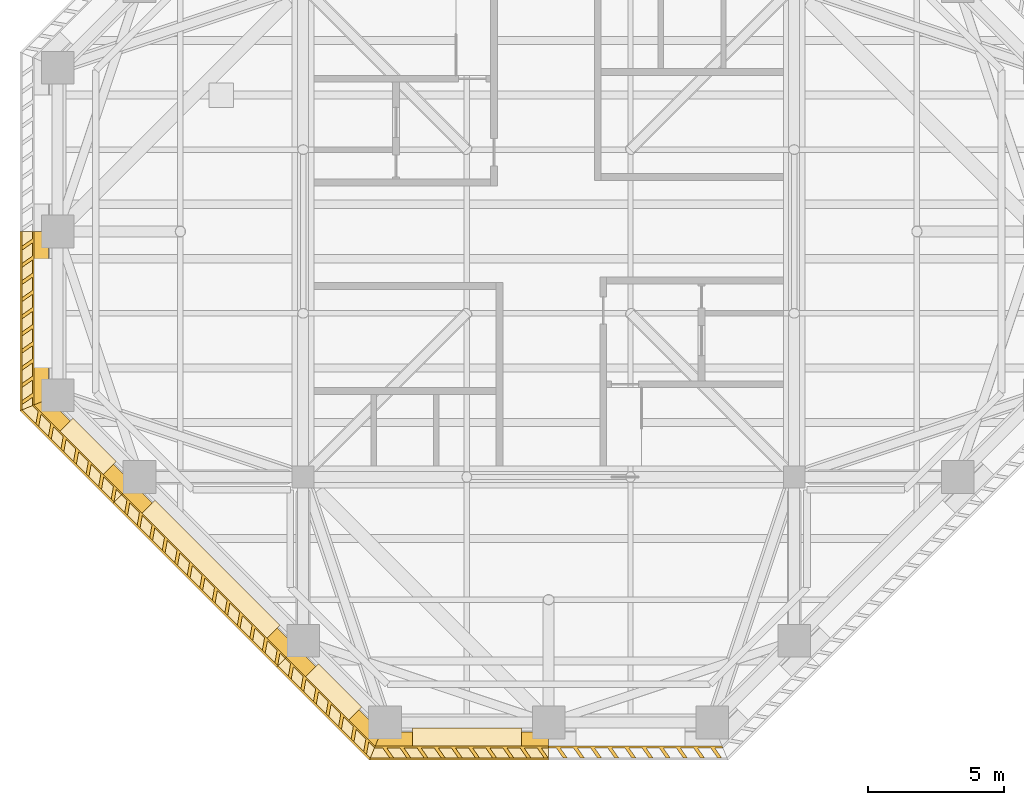
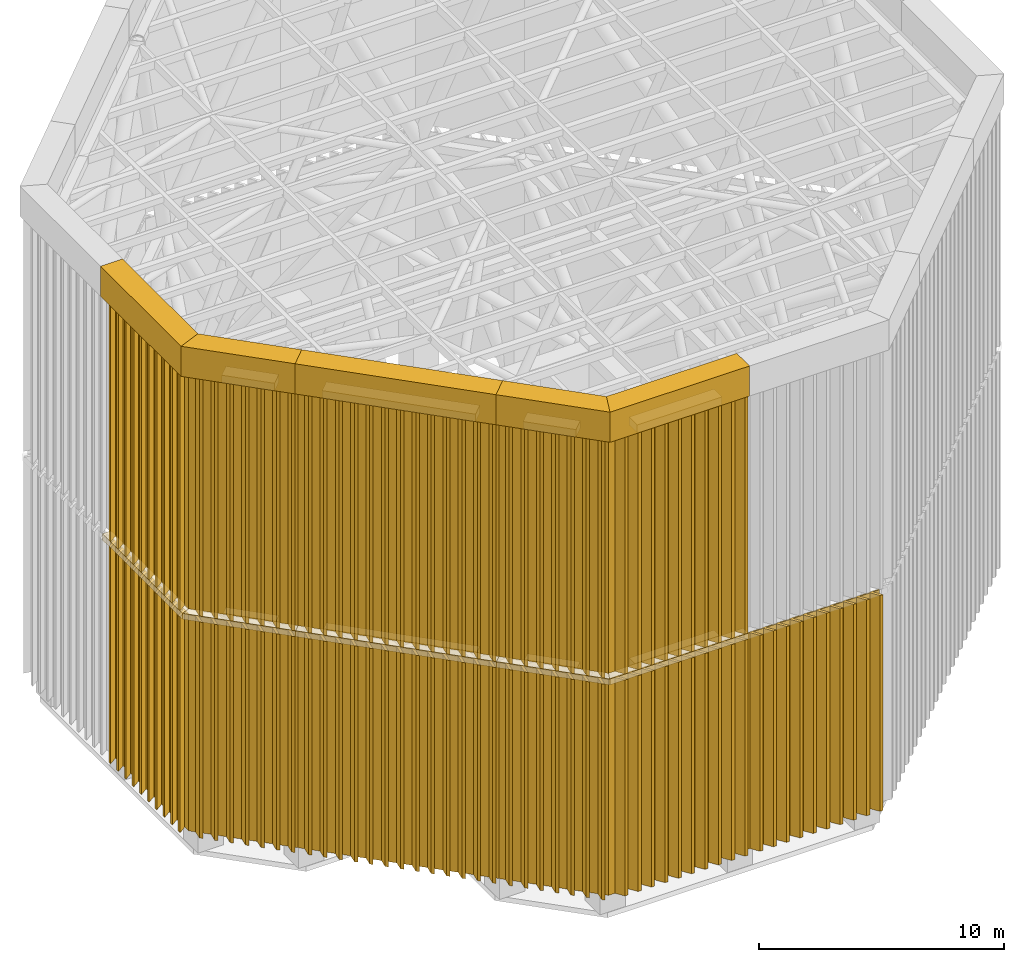
# One storey, part 5 of 8: 29 coverings.
"""IFC4 building model written with IfcOpenShell, lengths in metres."""

from ifc_helpers import new_model, si_unit, direction, frame, origin, place, context, subcontext, project, spatial, polyline, outline, extrude, material, layer, layer_set, constituent, constituent_set, type_object, element, save


model = new_model("IFC4")

# Units and contexts
model_context = context("Model", 3, precision=1e-05, world=origin(), true_north=direction((0.0, 1.0)))
body_context = subcontext(model_context, "Body", "Model", "MODEL_VIEW")
ifc_project = project(units=[si_unit("LENGTHUNIT", "METRE"), si_unit("AREAUNIT", "SQUARE_METRE"), si_unit("VOLUMEUNIT", "CUBIC_METRE"), si_unit("PLANEANGLEUNIT", "RADIAN"), si_unit("MASSUNIT", "GRAM", prefix="KILO")], contexts=[model_context])

# Site, building, storey
site_placement = place(None, origin())
site = spatial("IfcSite", under=ifc_project, at=site_placement, CompositionType="ELEMENT")
building_placement = place(site_placement, origin())
building = spatial("IfcBuilding", under=site, at=building_placement, Name="Torre Cruceta", CompositionType="ELEMENT")
storey_placement = place(building_placement, frame((0.0, 0.0, 293.300048828125)))
storey = spatial("IfcBuildingStorey", under=building, at=storey_placement, Name="RF", CompositionType="ELEMENT", Elevation=293.300048828125)

# Coverings
ifc_material_1 = material(Name="Glass-fibre reinforced concrete", Category="concrete")
ifc_constituent_1 = constituent(ifc_material_1, Name="Panel")
ifc_material_2 = material(Name="Steel S275", Category="steel")
ifc_constituent_2 = constituent(ifc_material_2, Name="Subframe")
ifc_material_3 = material(Name="Hot-dip galvanising", Category="zinc")
ifc_constituent_3 = constituent(ifc_material_3, Name="Subframe coating")
ifc_constituent_set_1 = constituent_set(constituents=[ifc_constituent_1, ifc_constituent_2, ifc_constituent_3], Name="GFRC panel on a galvanised steel subframe")
covering_type_1 = type_object("IfcCoveringType", Name="CROWN CAP FASCIA GFRC 1500", PredefinedType="CLADDING", material=ifc_constituent_set_1)
covering_1_placement = place(storey_placement, frame((0.0, 0.0, 24.0)))
element("IfcCovering", 1, at=covering_1_placement, inside=storey, type_object=covering_type_1, Name="Crown cap fascia FC1 01", PredefinedType="CLADDING", context=body_context, shape_type="SweptSolid", body=[
    extrude(outline(polyline([(-19.3798828125, -6.571533203125), (-15.975830078125, -9.975830078125), (-15.240478515625, -9.240478515625), (-18.340087890625, -6.140869140625), (-19.3798828125, -6.571533203125)])), origin(), (0.0, 0.0, 1.0), 1.5),
])
covering_2_placement = place(storey_placement, frame((0.0, 0.0, 24.0)))
element("IfcCovering", 2, at=covering_2_placement, inside=storey, type_object=covering_type_1, Name="Crown cap fascia FC1 02", PredefinedType="CLADDING", context=body_context, shape_type="SweptSolid", body=[
    extrude(outline(polyline([(-15.975830078125, -9.975830078125), (-9.975830078125, -15.975830078125), (-9.240478515625, -15.240478515625), (-15.240478515625, -9.240478515625), (-15.975830078125, -9.975830078125)])), origin(), (0.0, 0.0, 1.0), 1.5),
])
covering_3_placement = place(storey_placement, frame((0.0, 0.0, 24.0)))
element("IfcCovering", 3, at=covering_3_placement, inside=storey, type_object=covering_type_1, Name="Crown cap fascia FC1 03", PredefinedType="CLADDING", context=body_context, shape_type="SweptSolid", body=[
    extrude(outline(polyline([(-9.975830078125, -15.975830078125), (-6.571533203125, -19.3798828125), (-6.140869140625, -18.340087890625), (-9.240478515625, -15.240478515625), (-9.975830078125, -15.975830078125)])), origin(), (0.0, 0.0, 1.0), 1.5),
])
covering_4_placement = place(storey_placement, frame((0.0, 0.0, 24.0)))
element("IfcCovering", 4, at=covering_4_placement, inside=storey, type_object=covering_type_1, Name="Crown cap fascia FC1 04", PredefinedType="CLADDING", context=body_context, shape_type="SweptSolid", body=[
    extrude(outline(polyline([(-6.571533203125, -19.3798828125), (0.0, -19.3798828125), (0.0, -18.340087890625), (-6.140869140625, -18.340087890625), (-6.571533203125, -19.3798828125)])), origin(), (0.0, 0.0, 1.0), 1.5),
])
covering_5_placement = place(storey_placement, frame((0.0, 0.0, 24.0)))
element("IfcCovering", 5, at=covering_5_placement, inside=storey, type_object=covering_type_1, Name="Crown cap fascia FC1 20", PredefinedType="CLADDING", context=body_context, shape_type="SweptSolid", body=[
    extrude(outline(polyline([(-19.3798828125, 0.0), (-19.3798828125, -6.571533203125), (-18.340087890625, -6.140869140625), (-18.340087890625, 0.0), (-19.3798828125, 0.0)])), origin(), (0.0, 0.0, 1.0), 1.5),
])
ifc_material_4 = material(Name="Glass-fibre reinforced concrete", Category="concrete")
ifc_constituent_4 = constituent(ifc_material_4, Name="Panel")
ifc_material_5 = material(Name="Steel S275", Category="steel")
ifc_constituent_5 = constituent(ifc_material_5, Name="Subframe")
ifc_material_6 = material(Name="Hot-dip galvanising", Category="zinc")
ifc_constituent_6 = constituent(ifc_material_6, Name="Subframe coating")
ifc_constituent_set_2 = constituent_set(constituents=[ifc_constituent_4, ifc_constituent_5, ifc_constituent_6], Name="GFRC panel on a galvanised steel subframe")
covering_type_2 = type_object("IfcCoveringType", Name="CROWN SCREEN JOINT BAND GFRC 300", PredefinedType="CLADDING", material=ifc_constituent_set_2)
covering_6_placement = place(storey_placement, frame((0.0, 0.0, 11.849853515625)))
element("IfcCovering", 6, at=covering_6_placement, inside=storey, type_object=covering_type_2, Name="Crown screen joint band SJ1 01", PredefinedType="CLADDING", context=body_context, shape_type="SweptSolid", body=[
    extrude(outline(polyline([(-19.298583984375, -6.537841796875), (-15.918212890625, -9.918212890625), (-15.615234375, -9.615234375), (-18.8701171875, -6.3603515625), (-19.298583984375, -6.537841796875)])), origin(), (0.0, 0.0, 1.0), 0.300048828125),
])
covering_7_placement = place(storey_placement, frame((0.0, 0.0, 11.849853515625)))
element("IfcCovering", 7, at=covering_7_placement, inside=storey, type_object=covering_type_2, Name="Crown screen joint band SJ1 02", PredefinedType="CLADDING", context=body_context, shape_type="SweptSolid", body=[
    extrude(outline(polyline([(-15.918212890625, -9.918212890625), (-9.918212890625, -15.918212890625), (-9.615234375, -15.615234375), (-15.615234375, -9.615234375), (-15.918212890625, -9.918212890625)])), origin(), (0.0, 0.0, 1.0), 0.300048828125),
])
covering_8_placement = place(storey_placement, frame((0.0, 0.0, 11.849853515625)))
element("IfcCovering", 8, at=covering_8_placement, inside=storey, type_object=covering_type_2, Name="Crown screen joint band SJ1 03", PredefinedType="CLADDING", context=body_context, shape_type="SweptSolid", body=[
    extrude(outline(polyline([(-9.918212890625, -15.918212890625), (-6.537841796875, -19.298583984375), (-6.3603515625, -18.8701171875), (-9.615234375, -15.615234375), (-9.918212890625, -15.918212890625)])), origin(), (0.0, 0.0, 1.0), 0.300048828125),
])
covering_9_placement = place(storey_placement, frame((0.0, 0.0, 11.849853515625)))
element("IfcCovering", 9, at=covering_9_placement, inside=storey, type_object=covering_type_2, Name="Crown screen joint band SJ1 04", PredefinedType="CLADDING", context=body_context, shape_type="SweptSolid", body=[
    extrude(outline(polyline([(-6.537841796875, -19.298583984375), (0.0, -19.298583984375), (0.0, -18.8701171875), (-6.3603515625, -18.8701171875), (-6.537841796875, -19.298583984375)])), origin(), (0.0, 0.0, 1.0), 0.300048828125),
])
covering_10_placement = place(storey_placement, frame((0.0, 0.0, 11.849853515625)))
element("IfcCovering", 10, at=covering_10_placement, inside=storey, type_object=covering_type_2, Name="Crown screen joint band SJ1 20", PredefinedType="CLADDING", context=body_context, shape_type="SweptSolid", body=[
    extrude(outline(polyline([(-19.298583984375, 0.0), (-19.298583984375, -6.537841796875), (-18.8701171875, -6.3603515625), (-18.8701171875, 0.0), (-19.298583984375, 0.0)])), origin(), (0.0, 0.0, 1.0), 0.300048828125),
])
ifc_material_7 = material(Name="Glass-fibre reinforced concrete", Category="concrete")
ifc_constituent_7 = constituent(ifc_material_7, Name="Panel")
ifc_material_8 = material(Name="Steel S275", Category="steel")
ifc_constituent_8 = constituent(ifc_material_8, Name="Subframe")
ifc_material_9 = material(Name="Hot-dip galvanising", Category="zinc")
ifc_constituent_9 = constituent(ifc_material_9, Name="Subframe coating")
ifc_constituent_set_3 = constituent_set(constituents=[ifc_constituent_7, ifc_constituent_8, ifc_constituent_9], Name="GFRC panel on a galvanised steel subframe")
covering_type_3 = type_object("IfcCoveringType", Name="CROWN SCREEN PANEL GFRC FINS 450 TIER 1", PredefinedType="CLADDING", material=ifc_constituent_set_3)
covering_11_placement = place(storey_placement, frame((0.0, 0.0, 1.099853515625)))
element("IfcCovering", 11, at=covering_11_placement, inside=storey, type_object=covering_type_3, Name="Crown screen panel SC1 01", PredefinedType="CLADDING", context=body_context, shape_type="SweptSolid", body=[
    extrude(outline(polyline([(-15.931396484375, -9.905029296875), (-15.852783203125, -9.46240234375), (-15.65771484375, -9.65771484375), (-15.615234375, -9.615234375), (-18.8701171875, -6.3603515625), (-18.929931640625, -6.38525390625), (-18.71630859375, -6.59912109375), (-18.794921875, -7.04150390625), (-18.69140625, -7.145263671875), (-18.61279296875, -6.70263671875), (-18.25634765625, -7.05908203125), (-18.3349609375, -7.501708984375), (-18.231201171875, -7.605224609375), (-18.152587890625, -7.16259765625), (-17.79638671875, -7.518798828125), (-17.875, -7.961669921875), (-17.771240234375, -8.065185546875), (-17.692626953125, -7.62255859375), (-17.336181640625, -7.97900390625), (-17.4150390625, -8.421630859375), (-17.311279296875, -8.525146484375), (-17.232666015625, -8.08251953125), (-16.876220703125, -8.43896484375), (-16.955078125, -8.881591796875), (-16.851318359375, -8.985107421875), (-16.772705078125, -8.54248046875), (-16.41650390625, -8.898681640625), (-16.4951171875, -9.341552734375), (-16.391357421875, -9.445068359375), (-16.312744140625, -9.00244140625), (-15.956298828125, -9.35888671875), (-16.034912109375, -9.801513671875), (-15.931396484375, -9.905029296875)])), origin(), (0.0, 0.0, 1.0), 10.75),
])
covering_12_placement = place(storey_placement, frame((0.0, 0.0, 1.099853515625)))
element("IfcCovering", 12, at=covering_12_placement, inside=storey, type_object=covering_type_3, Name="Crown screen panel SC1 02", PredefinedType="CLADDING", context=body_context, shape_type="SweptSolid", body=[
    extrude(outline(polyline([(-12.68408203125, -13.152587890625), (-12.605224609375, -12.7099609375), (-12.250244140625, -13.065185546875), (-12.328857421875, -13.5078125), (-12.22509765625, -13.611328125), (-12.146484375, -13.168701171875), (-11.79150390625, -13.523681640625), (-11.8701171875, -13.966552734375), (-11.7666015625, -14.070068359375), (-11.687744140625, -13.62744140625), (-11.332763671875, -13.982666015625), (-11.411376953125, -14.42529296875), (-11.3076171875, -14.52880859375), (-11.22900390625, -14.086181640625), (-10.873779296875, -14.44140625), (-10.952392578125, -14.884033203125), (-10.848876953125, -14.987548828125), (-10.770263671875, -14.544921875), (-10.4150390625, -14.900146484375), (-10.493896484375, -15.3427734375), (-10.39013671875, -15.4462890625), (-10.3115234375, -15.003662109375), (-9.956298828125, -15.35888671875), (-10.034912109375, -15.801513671875), (-9.931396484375, -15.905029296875), (-9.852783203125, -15.46240234375), (-9.65771484375, -15.65771484375), (-9.615234375, -15.615234375), (-15.615234375, -9.615234375), (-15.65771484375, -9.65771484375), (-15.46142578125, -9.853759765625), (-15.5400390625, -10.29638671875), (-15.4365234375, -10.400146484375), (-15.35791015625, -9.95751953125), (-15.002685546875, -10.3125), (-15.081298828125, -10.755126953125), (-14.977783203125, -10.85888671875), (-14.899169921875, -10.416015625), (-14.5439453125, -10.771240234375), (-14.62255859375, -11.214111328125), (-14.51904296875, -11.317626953125), (-14.440185546875, -10.875), (-14.085205078125, -11.22998046875), (-14.163818359375, -11.672607421875), (-14.060302734375, -11.7763671875), (-13.981689453125, -11.33349609375), (-13.62646484375, -11.688720703125), (-13.705078125, -12.131591796875), (-13.6015625, -12.235107421875), (-13.522705078125, -11.79248046875), (-13.167724609375, -12.147705078125), (-13.246337890625, -12.590087890625), (-13.142578125, -12.69384765625), (-13.064208984375, -12.251220703125), (-12.708984375, -12.606201171875), (-12.78759765625, -13.049072265625), (-12.68408203125, -13.152587890625)])), origin(), (0.0, 0.0, 1.0), 10.75),
])
covering_13_placement = place(storey_placement, frame((0.0, 0.0, 1.099853515625)))
element("IfcCovering", 13, at=covering_13_placement, inside=storey, type_object=covering_type_3, Name="Crown screen panel SC1 03", PredefinedType="CLADDING", context=body_context, shape_type="SweptSolid", body=[
    extrude(outline(polyline([(-6.676513671875, -19.159912109375), (-6.597900390625, -18.71728515625), (-6.38525390625, -18.929931640625), (-6.3603515625, -18.8701171875), (-9.615234375, -15.615234375), (-9.65771484375, -15.65771484375), (-9.46142578125, -15.853759765625), (-9.5400390625, -16.29638671875), (-9.4365234375, -16.400146484375), (-9.35791015625, -15.95751953125), (-9.00146484375, -16.313720703125), (-9.080078125, -16.75634765625), (-8.9765625, -16.860107421875), (-8.89794921875, -16.41748046875), (-8.54150390625, -16.773681640625), (-8.6201171875, -17.21630859375), (-8.5166015625, -17.320068359375), (-8.43798828125, -16.877197265625), (-8.08154296875, -17.233642578125), (-8.16015625, -17.676513671875), (-8.056396484375, -17.780029296875), (-7.977783203125, -17.33740234375), (-7.62158203125, -17.693603515625), (-7.7001953125, -18.136474609375), (-7.5966796875, -18.239990234375), (-7.517822265625, -17.79736328125), (-7.16162109375, -18.15380859375), (-7.240234375, -18.59619140625), (-7.13671875, -18.699951171875), (-7.05810546875, -18.25732421875), (-6.70166015625, -18.613525390625), (-6.7802734375, -19.056396484375), (-6.676513671875, -19.159912109375)])), origin(), (0.0, 0.0, 1.0), 10.75),
])
covering_14_placement = place(storey_placement, frame((0.0, 0.0, 1.099853515625)))
element("IfcCovering", 14, at=covering_14_placement, inside=storey, type_object=covering_type_3, Name="Crown screen panel SC1 04", PredefinedType="CLADDING", context=body_context, shape_type="SweptSolid", body=[
    extrude(outline(polyline([(-5.678955078125, -19.298583984375), (-5.936279296875, -18.929931640625), (-5.4541015625, -18.929931640625), (-5.196533203125, -19.298583984375), (-5.050048828125, -19.298583984375), (-5.3076171875, -18.929931640625), (-4.8251953125, -18.929931640625), (-4.567626953125, -19.298583984375), (-4.421142578125, -19.298583984375), (-4.6787109375, -18.929931640625), (-4.196044921875, -18.929931640625), (-3.938720703125, -19.298583984375), (-3.792236328125, -19.298583984375), (-4.049560546875, -18.929931640625), (-3.567138671875, -18.929931640625), (-3.309814453125, -19.298583984375), (-3.163330078125, -19.298583984375), (-3.420654296875, -18.929931640625), (-2.938232421875, -18.929931640625), (-2.680908203125, -19.298583984375), (-2.534423828125, -19.298583984375), (-2.791748046875, -18.929931640625), (-2.309326171875, -18.929931640625), (-2.052001953125, -19.298583984375), (-1.905517578125, -19.298583984375), (-2.162841796875, -18.929931640625), (-1.680419921875, -18.929931640625), (-1.423095703125, -19.298583984375), (-1.276611328125, -19.298583984375), (-1.533935546875, -18.929931640625), (-1.051513671875, -18.929931640625), (-0.794189453125, -19.298583984375), (-0.647705078125, -19.298583984375), (-0.905029296875, -18.929931640625), (-0.422607421875, -18.929931640625), (-0.1650390625, -19.298583984375), (-0.0185546875, -19.298583984375), (-0.276123046875, -18.929931640625), (0.0, -18.929931640625), (0.0, -18.8701171875), (-6.3603515625, -18.8701171875), (-6.38525390625, -18.929931640625), (-6.0830078125, -18.929931640625), (-5.825439453125, -19.298583984375), (-5.678955078125, -19.298583984375)])), origin(), (0.0, 0.0, 1.0), 10.75),
])
covering_15_placement = place(storey_placement, frame((0.0, 0.0, 1.099853515625)))
element("IfcCovering", 15, at=covering_15_placement, inside=storey, type_object=covering_type_3, Name="Crown screen panel SC1 05", PredefinedType="CLADDING", context=body_context, shape_type="SweptSolid", body=[
    extrude(outline(polyline([(0.681396484375, -19.298583984375), (0.423828125, -18.929931640625), (0.906494140625, -18.929931640625), (1.163818359375, -19.298583984375), (1.310302734375, -19.298583984375), (1.052978515625, -18.929931640625), (1.535400390625, -18.929931640625), (1.792724609375, -19.298583984375), (1.939208984375, -19.298583984375), (1.681884765625, -18.929931640625), (2.164306640625, -18.929931640625), (2.421630859375, -19.298583984375), (2.568115234375, -19.298583984375), (2.310791015625, -18.929931640625), (2.793212890625, -18.929931640625), (3.050537109375, -19.298583984375), (3.197021484375, -19.298583984375), (2.939697265625, -18.929931640625), (3.422119140625, -18.929931640625), (3.679443359375, -19.298583984375), (3.825927734375, -19.298583984375), (3.568603515625, -18.929931640625), (4.051025390625, -18.929931640625), (4.308349609375, -19.298583984375), (4.454833984375, -19.298583984375), (4.197509765625, -18.929931640625), (4.679931640625, -18.929931640625), (4.9375, -19.298583984375), (5.083984375, -19.298583984375), (4.826416015625, -18.929931640625), (5.308837890625, -18.929931640625), (5.56640625, -19.298583984375), (5.712890625, -19.298583984375), (5.455322265625, -18.929931640625), (5.937744140625, -18.929931640625), (6.1953125, -19.298583984375), (6.341796875, -19.298583984375), (6.084228515625, -18.929931640625), (6.38525390625, -18.929931640625), (6.3603515625, -18.8701171875), (0.0, -18.8701171875), (0.0, -18.929931640625), (0.277587890625, -18.929931640625), (0.534912109375, -19.298583984375), (0.681396484375, -19.298583984375)])), origin(), (0.0, 0.0, 1.0), 10.75),
])
covering_16_placement = place(storey_placement, frame((0.0, 0.0, 1.099853515625)))
element("IfcCovering", 16, at=covering_16_placement, inside=storey, type_object=covering_type_3, Name="Crown screen panel SC1 20", PredefinedType="CLADDING", context=body_context, shape_type="SweptSolid", body=[
    extrude(outline(polyline([(-19.298583984375, -3.825927734375), (-18.929931640625, -3.568603515625), (-18.929931640625, -4.051025390625), (-19.298583984375, -4.308349609375), (-19.298583984375, -4.454833984375), (-18.929931640625, -4.197509765625), (-18.929931640625, -4.679931640625), (-19.298583984375, -4.9375), (-19.298583984375, -5.083984375), (-18.929931640625, -4.826416015625), (-18.929931640625, -5.308837890625), (-19.298583984375, -5.56640625), (-19.298583984375, -5.712890625), (-18.929931640625, -5.455322265625), (-18.929931640625, -5.937744140625), (-19.298583984375, -6.1953125), (-19.298583984375, -6.341796875), (-18.929931640625, -6.084228515625), (-18.929931640625, -6.38525390625), (-18.8701171875, -6.3603515625), (-18.8701171875, 0.0), (-18.929931640625, 0.0), (-18.929931640625, -0.277587890625), (-19.298583984375, -0.534912109375), (-19.298583984375, -0.681396484375), (-18.929931640625, -0.423828125), (-18.929931640625, -0.906494140625), (-19.298583984375, -1.163818359375), (-19.298583984375, -1.310302734375), (-18.929931640625, -1.052978515625), (-18.929931640625, -1.535400390625), (-19.298583984375, -1.792724609375), (-19.298583984375, -1.939208984375), (-18.929931640625, -1.681884765625), (-18.929931640625, -2.164306640625), (-19.298583984375, -2.421630859375), (-19.298583984375, -2.568115234375), (-18.929931640625, -2.310791015625), (-18.929931640625, -2.793212890625), (-19.298583984375, -3.050537109375), (-19.298583984375, -3.197021484375), (-18.929931640625, -2.939697265625), (-18.929931640625, -3.422119140625), (-19.298583984375, -3.679443359375), (-19.298583984375, -3.825927734375)])), origin(), (0.0, 0.0, 1.0), 10.75),
])
ifc_material_10 = material(Name="Glass-fibre reinforced concrete", Category="concrete")
ifc_constituent_10 = constituent(ifc_material_10, Name="Panel")
ifc_material_11 = material(Name="Steel S275", Category="steel")
ifc_constituent_11 = constituent(ifc_material_11, Name="Subframe")
ifc_material_12 = material(Name="Hot-dip galvanising", Category="zinc")
ifc_constituent_12 = constituent(ifc_material_12, Name="Subframe coating")
ifc_constituent_set_4 = constituent_set(constituents=[ifc_constituent_10, ifc_constituent_11, ifc_constituent_12], Name="GFRC panel on a galvanised steel subframe")
covering_type_4 = type_object("IfcCoveringType", Name="CROWN SCREEN PANEL GFRC FINS 450 TIER 2", PredefinedType="CLADDING", material=ifc_constituent_set_4)
covering_17_placement = place(storey_placement, frame((0.0, 0.0, 12.14990234375)))
element("IfcCovering", 17, at=covering_17_placement, inside=storey, type_object=covering_type_4, Name="Crown screen panel SC2 01", PredefinedType="CLADDING", context=body_context, shape_type="SweptSolid", body=[
    extrude(outline(polyline([(-15.931396484375, -9.905029296875), (-15.852783203125, -9.46240234375), (-15.65771484375, -9.65771484375), (-15.615234375, -9.615234375), (-18.8701171875, -6.3603515625), (-18.929931640625, -6.38525390625), (-18.71630859375, -6.59912109375), (-18.794921875, -7.04150390625), (-18.69140625, -7.145263671875), (-18.61279296875, -6.70263671875), (-18.25634765625, -7.05908203125), (-18.3349609375, -7.501708984375), (-18.231201171875, -7.605224609375), (-18.152587890625, -7.16259765625), (-17.79638671875, -7.518798828125), (-17.875, -7.961669921875), (-17.771240234375, -8.065185546875), (-17.692626953125, -7.62255859375), (-17.336181640625, -7.97900390625), (-17.4150390625, -8.421630859375), (-17.311279296875, -8.525146484375), (-17.232666015625, -8.08251953125), (-16.876220703125, -8.43896484375), (-16.955078125, -8.881591796875), (-16.851318359375, -8.985107421875), (-16.772705078125, -8.54248046875), (-16.41650390625, -8.898681640625), (-16.4951171875, -9.341552734375), (-16.391357421875, -9.445068359375), (-16.312744140625, -9.00244140625), (-15.956298828125, -9.35888671875), (-16.034912109375, -9.801513671875), (-15.931396484375, -9.905029296875)])), origin(), (0.0, 0.0, 1.0), 11.85009765625),
])
covering_18_placement = place(storey_placement, frame((0.0, 0.0, 12.14990234375)))
element("IfcCovering", 18, at=covering_18_placement, inside=storey, type_object=covering_type_4, Name="Crown screen panel SC2 02", PredefinedType="CLADDING", context=body_context, shape_type="SweptSolid", body=[
    extrude(outline(polyline([(-12.68408203125, -13.152587890625), (-12.605224609375, -12.7099609375), (-12.250244140625, -13.065185546875), (-12.328857421875, -13.5078125), (-12.22509765625, -13.611328125), (-12.146484375, -13.168701171875), (-11.79150390625, -13.523681640625), (-11.8701171875, -13.966552734375), (-11.7666015625, -14.070068359375), (-11.687744140625, -13.62744140625), (-11.332763671875, -13.982666015625), (-11.411376953125, -14.42529296875), (-11.3076171875, -14.52880859375), (-11.22900390625, -14.086181640625), (-10.873779296875, -14.44140625), (-10.952392578125, -14.884033203125), (-10.848876953125, -14.987548828125), (-10.770263671875, -14.544921875), (-10.4150390625, -14.900146484375), (-10.493896484375, -15.3427734375), (-10.39013671875, -15.4462890625), (-10.3115234375, -15.003662109375), (-9.956298828125, -15.35888671875), (-10.034912109375, -15.801513671875), (-9.931396484375, -15.905029296875), (-9.852783203125, -15.46240234375), (-9.65771484375, -15.65771484375), (-9.615234375, -15.615234375), (-15.615234375, -9.615234375), (-15.65771484375, -9.65771484375), (-15.46142578125, -9.853759765625), (-15.5400390625, -10.29638671875), (-15.4365234375, -10.400146484375), (-15.35791015625, -9.95751953125), (-15.002685546875, -10.3125), (-15.081298828125, -10.755126953125), (-14.977783203125, -10.85888671875), (-14.899169921875, -10.416015625), (-14.5439453125, -10.771240234375), (-14.62255859375, -11.214111328125), (-14.51904296875, -11.317626953125), (-14.440185546875, -10.875), (-14.085205078125, -11.22998046875), (-14.163818359375, -11.672607421875), (-14.060302734375, -11.7763671875), (-13.981689453125, -11.33349609375), (-13.62646484375, -11.688720703125), (-13.705078125, -12.131591796875), (-13.6015625, -12.235107421875), (-13.522705078125, -11.79248046875), (-13.167724609375, -12.147705078125), (-13.246337890625, -12.590087890625), (-13.142578125, -12.69384765625), (-13.064208984375, -12.251220703125), (-12.708984375, -12.606201171875), (-12.78759765625, -13.049072265625), (-12.68408203125, -13.152587890625)])), origin(), (0.0, 0.0, 1.0), 11.85009765625),
])
covering_19_placement = place(storey_placement, frame((0.0, 0.0, 12.14990234375)))
element("IfcCovering", 19, at=covering_19_placement, inside=storey, type_object=covering_type_4, Name="Crown screen panel SC2 03", PredefinedType="CLADDING", context=body_context, shape_type="SweptSolid", body=[
    extrude(outline(polyline([(-6.676513671875, -19.159912109375), (-6.597900390625, -18.71728515625), (-6.38525390625, -18.929931640625), (-6.3603515625, -18.8701171875), (-9.615234375, -15.615234375), (-9.65771484375, -15.65771484375), (-9.46142578125, -15.853759765625), (-9.5400390625, -16.29638671875), (-9.4365234375, -16.400146484375), (-9.35791015625, -15.95751953125), (-9.00146484375, -16.313720703125), (-9.080078125, -16.75634765625), (-8.9765625, -16.860107421875), (-8.89794921875, -16.41748046875), (-8.54150390625, -16.773681640625), (-8.6201171875, -17.21630859375), (-8.5166015625, -17.320068359375), (-8.43798828125, -16.877197265625), (-8.08154296875, -17.233642578125), (-8.16015625, -17.676513671875), (-8.056396484375, -17.780029296875), (-7.977783203125, -17.33740234375), (-7.62158203125, -17.693603515625), (-7.7001953125, -18.136474609375), (-7.5966796875, -18.239990234375), (-7.517822265625, -17.79736328125), (-7.16162109375, -18.15380859375), (-7.240234375, -18.59619140625), (-7.13671875, -18.699951171875), (-7.05810546875, -18.25732421875), (-6.70166015625, -18.613525390625), (-6.7802734375, -19.056396484375), (-6.676513671875, -19.159912109375)])), origin(), (0.0, 0.0, 1.0), 11.85009765625),
])
covering_20_placement = place(storey_placement, frame((0.0, 0.0, 12.14990234375)))
element("IfcCovering", 20, at=covering_20_placement, inside=storey, type_object=covering_type_4, Name="Crown screen panel SC2 04", PredefinedType="CLADDING", context=body_context, shape_type="SweptSolid", body=[
    extrude(outline(polyline([(-5.678955078125, -19.298583984375), (-5.936279296875, -18.929931640625), (-5.4541015625, -18.929931640625), (-5.196533203125, -19.298583984375), (-5.050048828125, -19.298583984375), (-5.3076171875, -18.929931640625), (-4.8251953125, -18.929931640625), (-4.567626953125, -19.298583984375), (-4.421142578125, -19.298583984375), (-4.6787109375, -18.929931640625), (-4.196044921875, -18.929931640625), (-3.938720703125, -19.298583984375), (-3.792236328125, -19.298583984375), (-4.049560546875, -18.929931640625), (-3.567138671875, -18.929931640625), (-3.309814453125, -19.298583984375), (-3.163330078125, -19.298583984375), (-3.420654296875, -18.929931640625), (-2.938232421875, -18.929931640625), (-2.680908203125, -19.298583984375), (-2.534423828125, -19.298583984375), (-2.791748046875, -18.929931640625), (-2.309326171875, -18.929931640625), (-2.052001953125, -19.298583984375), (-1.905517578125, -19.298583984375), (-2.162841796875, -18.929931640625), (-1.680419921875, -18.929931640625), (-1.423095703125, -19.298583984375), (-1.276611328125, -19.298583984375), (-1.533935546875, -18.929931640625), (-1.051513671875, -18.929931640625), (-0.794189453125, -19.298583984375), (-0.647705078125, -19.298583984375), (-0.905029296875, -18.929931640625), (-0.422607421875, -18.929931640625), (-0.1650390625, -19.298583984375), (-0.0185546875, -19.298583984375), (-0.276123046875, -18.929931640625), (0.0, -18.929931640625), (0.0, -18.8701171875), (-6.3603515625, -18.8701171875), (-6.38525390625, -18.929931640625), (-6.0830078125, -18.929931640625), (-5.825439453125, -19.298583984375), (-5.678955078125, -19.298583984375)])), origin(), (0.0, 0.0, 1.0), 11.85009765625),
])
covering_21_placement = place(storey_placement, frame((0.0, 0.0, 12.14990234375)))
element("IfcCovering", 21, at=covering_21_placement, inside=storey, type_object=covering_type_4, Name="Crown screen panel SC2 20", PredefinedType="CLADDING", context=body_context, shape_type="SweptSolid", body=[
    extrude(outline(polyline([(-19.298583984375, -3.825927734375), (-18.929931640625, -3.568603515625), (-18.929931640625, -4.051025390625), (-19.298583984375, -4.308349609375), (-19.298583984375, -4.454833984375), (-18.929931640625, -4.197509765625), (-18.929931640625, -4.679931640625), (-19.298583984375, -4.9375), (-19.298583984375, -5.083984375), (-18.929931640625, -4.826416015625), (-18.929931640625, -5.308837890625), (-19.298583984375, -5.56640625), (-19.298583984375, -5.712890625), (-18.929931640625, -5.455322265625), (-18.929931640625, -5.937744140625), (-19.298583984375, -6.1953125), (-19.298583984375, -6.341796875), (-18.929931640625, -6.084228515625), (-18.929931640625, -6.38525390625), (-18.8701171875, -6.3603515625), (-18.8701171875, 0.0), (-18.929931640625, 0.0), (-18.929931640625, -0.277587890625), (-19.298583984375, -0.534912109375), (-19.298583984375, -0.681396484375), (-18.929931640625, -0.423828125), (-18.929931640625, -0.906494140625), (-19.298583984375, -1.163818359375), (-19.298583984375, -1.310302734375), (-18.929931640625, -1.052978515625), (-18.929931640625, -1.535400390625), (-19.298583984375, -1.792724609375), (-19.298583984375, -1.939208984375), (-18.929931640625, -1.681884765625), (-18.929931640625, -2.164306640625), (-19.298583984375, -2.421630859375), (-19.298583984375, -2.568115234375), (-18.929931640625, -2.310791015625), (-18.929931640625, -2.793212890625), (-19.298583984375, -3.050537109375), (-19.298583984375, -3.197021484375), (-18.929931640625, -2.939697265625), (-18.929931640625, -3.422119140625), (-19.298583984375, -3.679443359375), (-19.298583984375, -3.825927734375)])), origin(), (0.0, 0.0, 1.0), 11.85009765625),
])
ifc_material_13 = material(Name="Steel S275", Category="steel")
ifc_layer = layer(ifc_material_13, 0.669921875)
ifc_layer_set = layer_set([ifc_layer], Name="Steel S275")
covering_type_5 = type_object("IfcCoveringType", Name="CROWN SCREEN SUPPORT RAIL GALVANISED STEEL", PredefinedType="CLADDING", material=ifc_layer_set)
for number, where, name in (
    (22, (0.0, 0.0, 11.599853515625), "Crown screen support rail SR1 1-01"),
    (23, (0.0, 0.0, 23.599853515625), "Crown screen support rail SR1 2-01"),
):
    element("IfcCovering", number, at=place(storey_placement, frame(where)), inside=storey, type_object=covering_type_5, Name=name, PredefinedType="CLADDING", context=body_context, shape_type="SweptSolid", body=[
        extrude(outline(polyline([(-17.908203125, -7.322265625), (-16.322265625, -8.908203125), (-15.848876953125, -8.434814453125), (-17.434814453125, -6.848876953125), (-17.908203125, -7.322265625)])), origin(), (0.0, 0.0, 1.0), 0.400146484375),
    ])
for number, where, name in (
    (24, (0.0, 0.0, 11.599853515625), "Crown screen support rail SR1 1-02"),
    (25, (0.0, 0.0, 23.599853515625), "Crown screen support rail SR1 2-02"),
):
    element("IfcCovering", number, at=place(storey_placement, frame(where)), inside=storey, type_object=covering_type_5, Name=name, PredefinedType="CLADDING", context=body_context, shape_type="SweptSolid", body=[
        extrude(outline(polyline([(-14.908203125, -10.322265625), (-10.322265625, -14.908203125), (-9.848876953125, -14.434814453125), (-14.434814453125, -9.848876953125), (-14.908203125, -10.322265625)])), origin(), (0.0, 0.0, 1.0), 0.400146484375),
    ])
for number, where, name in (
    (26, (0.0, 0.0, 11.599853515625), "Crown screen support rail SR1 1-03"),
    (27, (0.0, 0.0, 23.599853515625), "Crown screen support rail SR1 2-03"),
):
    element("IfcCovering", number, at=place(storey_placement, frame(where)), inside=storey, type_object=covering_type_5, Name=name, PredefinedType="CLADDING", context=body_context, shape_type="SweptSolid", body=[
        extrude(outline(polyline([(-8.908203125, -16.322265625), (-7.322265625, -17.908203125), (-6.848876953125, -17.434814453125), (-8.434814453125, -15.848876953125), (-8.908203125, -16.322265625)])), origin(), (0.0, 0.0, 1.0), 0.400146484375),
    ])
for number, where, name in (
    (28, (0.0, 0.0, 11.599853515625), "Crown screen support rail SR1 1-04"),
    (29, (0.0, 0.0, 23.599853515625), "Crown screen support rail SR1 2-04"),
):
    element("IfcCovering", number, at=place(storey_placement, frame(where)), inside=storey, type_object=covering_type_5, Name=name, PredefinedType="CLADDING", context=body_context, shape_type="SweptSolid", body=[
        extrude(outline(polyline([(-5.0, -18.8701171875), (-1.0, -18.8701171875), (-1.0, -18.200439453125), (-5.0, -18.200439453125), (-5.0, -18.8701171875)])), origin(), (0.0, 0.0, 1.0), 0.400146484375),
    ])

save(model, "model.ifc")
